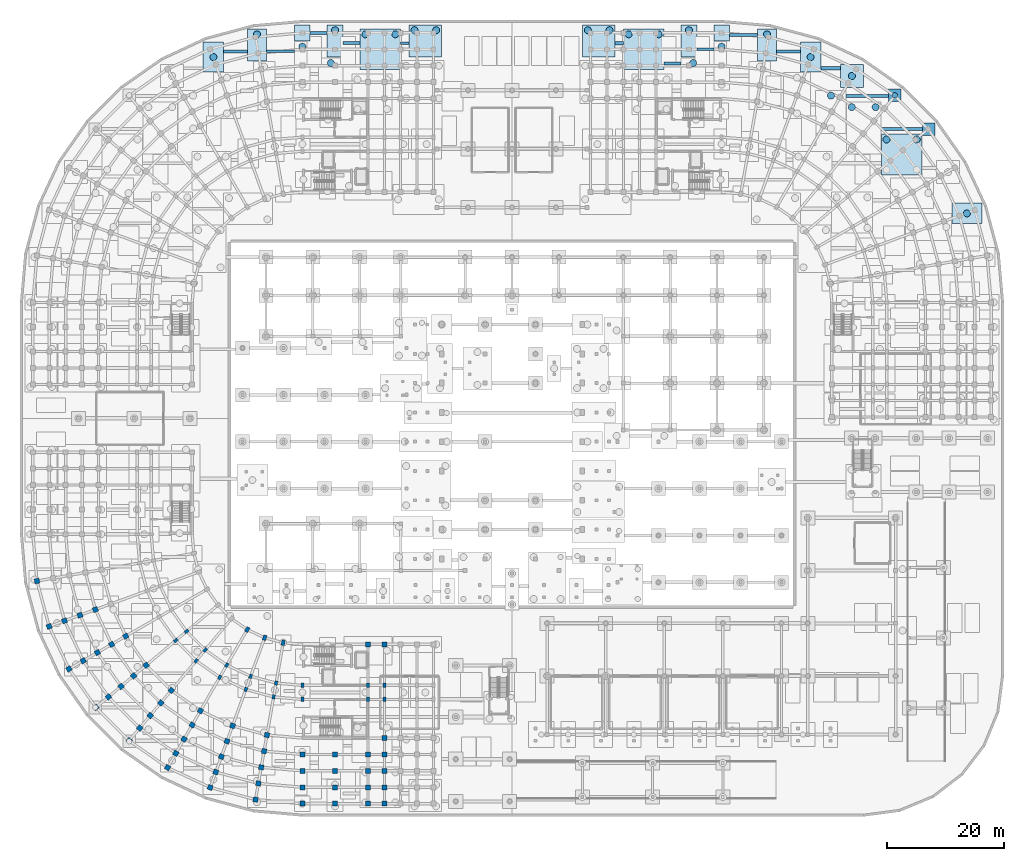
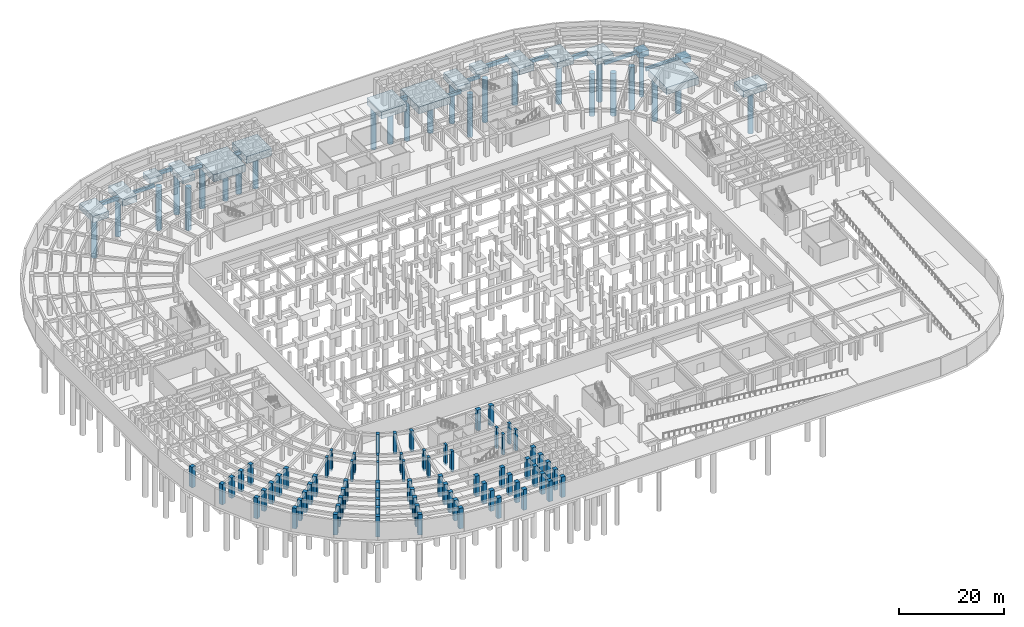
# One storey, part 12 of 53: 73 columns, 30 footings, 26 piles.
"""IFC4 building model written with IfcOpenShell, lengths in metres."""

import ifcopenshell
import ifcopenshell.guid

model = None  # the IFC model being written
_history = None  # IfcOwnerHistory: only IFC2X3 demands one
_inside = {}  # id of a spatial element -> (the spatial element, [elements in it])
_under = {}  # id of a project, library or spatial element -> (it, [spatial elements below it])
_declared = {}  # id of a project -> (the project, [libraries it declares])
_typed = {}  # id of a type object -> (the type object, [elements of that type])
_made_of = {}  # id of a material, layer set ... -> (it, [elements and type objects made of it])


def new_model(schema):
    """Start an empty IFC model of exactly this schema.

    Asked for "IFC4X3", IfcOpenShell would pick the latest addendum, in which some entities
    have other attributes; the version numbers below select the first issue.
    IFC2X3 requires an IfcOwnerHistory on every rooted entity: one is made here for all.
    """
    global model, _history
    if schema == "IFC4X3":
        model = ifcopenshell.file(schema_version=(4, 3, 0, 0))
    else:
        model = ifcopenshell.file(schema=schema)
    _inside.clear()
    _under.clear()
    _declared.clear()
    _typed.clear()
    _made_of.clear()
    _history = None
    if model.schema == "IFC2X3":
        org = make("IfcOrganization", Name="unknown")
        user = make(
            "IfcPersonAndOrganization",
            ThePerson=make("IfcPerson", FamilyName="unknown"),
            TheOrganization=org,
        )
        app = make(
            "IfcApplication",
            ApplicationDeveloper=org,
            Version="unknown",
            ApplicationFullName="unknown",
            ApplicationIdentifier="unknown",
        )
        _history = make(
            "IfcOwnerHistory",
            OwningUser=user,
            OwningApplication=app,
            ChangeAction="ADDED",
            CreationDate=0,
        )
    return model


def make(cls, **values):
    """One entity of the class cls with the attributes given. An attribute that is None is left unset."""
    return model.create_entity(
        cls, **{name: value for name, value in values.items() if value is not None}
    )


def rooted(cls, **values):
    """An entity with a GlobalId (a new one), such as an element, a storey or a relation."""
    return make(cls, GlobalId=ifcopenshell.guid.new(), OwnerHistory=_history, **values)


def si_unit(unit_type, name, prefix=None):
    """IfcSIUnit, for example si_unit("LENGTHUNIT", "METRE", prefix="MILLI")."""
    return make("IfcSIUnit", UnitType=unit_type, Prefix=prefix, Name=name)


def assignment(units):
    """IfcUnitAssignment: the units of a project."""
    return None if units is None else make("IfcUnitAssignment", Units=units)


def point(xyz):
    """IfcCartesianPoint."""
    return None if xyz is None else make("IfcCartesianPoint", Coordinates=xyz)


def direction(xyz):
    """IfcDirection."""
    return None if xyz is None else make("IfcDirection", DirectionRatios=xyz)


def frame(location, z_axis=None, x_axis=None):
    """IfcAxis2Placement3D, a coordinate frame: its origin and axes. An axis left out is left unset."""
    return make(
        "IfcAxis2Placement3D",
        Location=point(location),
        Axis=direction(z_axis),
        RefDirection=direction(x_axis),
    )


def frame_2d(location, x_axis=None):
    """IfcAxis2Placement2D, a coordinate frame in the plane: its origin and x axis."""
    return make(
        "IfcAxis2Placement2D", Location=point(location), RefDirection=direction(x_axis)
    )


def origin():
    """The frame at (0, 0, 0) with its axes left unset."""
    return frame((0.0, 0.0, 0.0))


def origin_2d():
    """The frame at (0, 0) in the plane with its x axis left unset."""
    return frame_2d((0.0, 0.0))


def place(relative_to, where):
    """IfcLocalPlacement: puts the frame where relative to a parent placement (None: the world)."""
    return make(
        "IfcLocalPlacement", PlacementRelTo=relative_to, RelativePlacement=where
    )


def context(
    kind, dimensions, precision=None, world=None, true_north=None, identifier=None
):
    """IfcGeometricRepresentationContext, for example the 3D "Model" context."""
    return make(
        "IfcGeometricRepresentationContext",
        ContextIdentifier=identifier,
        ContextType=kind,
        CoordinateSpaceDimension=dimensions,
        Precision=precision,
        WorldCoordinateSystem=world,
        TrueNorth=true_north,
    )


def subcontext(parent, identifier, kind, view, scale=None):
    """IfcGeometricRepresentationSubContext, for example "Body" below "Model"."""
    return make(
        "IfcGeometricRepresentationSubContext",
        ContextIdentifier=identifier,
        ContextType=kind,
        ParentContext=parent,
        TargetScale=scale,
        TargetView=view,
    )


def project(units=None, contexts=None):
    """IfcProject with its units and contexts."""
    return rooted(
        "IfcProject",
        Name="project",
        RepresentationContexts=contexts,
        UnitsInContext=assignment(units),
    )


def spatial(cls, under=None, at=None, **own):
    """A site, building, storey or space (cls), placed at a placement, below another one or the project."""
    s = rooted(cls, ObjectPlacement=at, **own)
    if under is not None:
        _under.setdefault(under.id(), (under, []))[1].append(s)
    return s


def profile(cls, at=None, kind="AREA", **sizes):
    """A parametric profile (cls). Its sizes go by their IFC names, for example OverallWidth=200.0."""
    return make(cls, ProfileType=kind, Position=at, **sizes)


def rectangle(**sizes):
    """IfcRectangleProfileDef."""
    return profile("IfcRectangleProfileDef", **sizes)


def circle(**sizes):
    """IfcCircleProfileDef."""
    return profile("IfcCircleProfileDef", **sizes)


def extrude(swept, where, along, depth):
    """IfcExtrudedAreaSolid: the profile swept, set in the frame where, extruded along a direction by depth."""
    return make(
        "IfcExtrudedAreaSolid",
        SweptArea=swept,
        Position=where,
        ExtrudedDirection=direction(along),
        Depth=depth,
    )


def shape(context_of_items, identifier, shape_type, items):
    """IfcShapeRepresentation: the items that make up one representation, for example the "Body"."""
    return make(
        "IfcShapeRepresentation",
        ContextOfItems=context_of_items,
        RepresentationIdentifier=identifier,
        RepresentationType=shape_type,
        Items=items,
    )


def material(Name=None, Category=None):
    """IfcMaterial."""
    return make("IfcMaterial", Name=Name, Category=Category)


def material_profile(
    of_material, cross_section, Name=None, Category=None, Priority=None
):
    """IfcMaterialProfile: a cross section and its material."""
    return make(
        "IfcMaterialProfile",
        Name=Name,
        Material=of_material,
        Profile=cross_section,
        Priority=Priority,
        Category=Category,
    )


def profile_set(profiles, Name=None, composite=None):
    """IfcMaterialProfileSet."""
    return make(
        "IfcMaterialProfileSet",
        Name=Name,
        MaterialProfiles=profiles,
        CompositeProfile=composite,
    )


def made_of(thing, what):
    """Note that an element or type object is made of a material, layer set ...; save() writes the relation."""
    if what is not None:
        _made_of.setdefault(what.id(), (what, []))[1].append(thing)
    return thing


def type_object(cls, material=None, **own):
    """A type object (cls), such as IfcWallType, which elements share."""
    return made_of(rooted(cls, **own), material)


def element(
    cls,
    number,
    at=None,
    inside=None,
    cuts=None,
    type_object=None,
    material=None,
    context=None,
    identifier="Body",
    shape_type=None,
    held_by="IfcProductDefinitionShape",
    body=None,
    shapes=None,
    **own,
):
    """One element of the class cls, such as IfcWall. Its Tag is "e" and its number.

    at: its placement. inside: the storey or other place that contains it. cuts: it is an
    opening in that element (IfcRelVoidsElement). A single representation is given by context,
    identifier, shape_type and body (its items); several are given by shapes. held_by: the class
    of the entity that holds the representations. save() writes the other relations.
    """
    e = rooted(cls, Tag="e%d" % number, ObjectPlacement=at, **own)
    if body is not None:
        shapes = [shape(context, identifier, shape_type, body)]
    if shapes is not None:
        e.Representation = make(held_by, Representations=shapes)
    if inside is not None:
        _inside.setdefault(inside.id(), (inside, []))[1].append(e)
    if cuts is not None:
        rooted(
            "IfcRelVoidsElement", RelatingBuildingElement=cuts, RelatedOpeningElement=e
        )
    if type_object is not None:
        _typed.setdefault(type_object.id(), (type_object, []))[1].append(e)
    return made_of(e, material)


def aggregate(whole, parts):
    """IfcRelAggregates: a whole, such as a stair, and the parts it consists of."""
    return rooted("IfcRelAggregates", RelatingObject=whole, RelatedObjects=parts)


def save(model, path):
    """Write the relations noted so far, then the file.

    IfcRelAggregates (storeys below a building ...), IfcRelContainedInSpatialStructure (elements
    in a storey), IfcRelDefinesByType, IfcRelAssociatesMaterial and IfcRelDeclares: one each for
    every whole, place, type object, material and project.
    """
    for whole, parts in _under.values():
        aggregate(whole, parts)
    for where, things in _inside.values():
        rooted(
            "IfcRelContainedInSpatialStructure",
            RelatedElements=things,
            RelatingStructure=where,
        )
    for kind, things in _typed.values():
        rooted("IfcRelDefinesByType", RelatedObjects=things, RelatingType=kind)
    for what, things in _made_of.values():
        rooted("IfcRelAssociatesMaterial", RelatedObjects=things, RelatingMaterial=what)
    for by, libraries in _declared.values():
        rooted("IfcRelDeclares", RelatingContext=by, RelatedDefinitions=libraries)
    model.write(path)


model = new_model("IFC4")

# Units and contexts
model_context = context("Model", 3, precision=1e-05, world=origin(), true_north=direction((0.0, 1.0)))
body_context = subcontext(model_context, "Body", "Model", "MODEL_VIEW")
ifc_project = project(units=[si_unit("LENGTHUNIT", "METRE"), si_unit("AREAUNIT", "SQUARE_METRE"), si_unit("VOLUMEUNIT", "CUBIC_METRE"), si_unit("PLANEANGLEUNIT", "RADIAN"), si_unit("MASSUNIT", "GRAM", prefix="KILO")], contexts=[model_context])

# Site, building, storey
site_placement = place(None, origin())
site = spatial("IfcSite", under=ifc_project, at=site_placement, CompositionType="ELEMENT")
building_placement = place(site_placement, origin())
building = spatial("IfcBuilding", under=site, at=building_placement, Name="Kiranvali Square Residences", CompositionType="ELEMENT")
storey_placement = place(building_placement, frame((0.0, 0.0, -4.5)))
storey = spatial("IfcBuildingStorey", under=building, at=storey_placement, Name="B1", CompositionType="ELEMENT", Elevation=-4.5)

# Footings
ifc_material_1 = material(Name="Concrete M40 (40 MPa)", Category="concrete")
footing_type_1 = type_object("IfcFootingType", Name="FTG-PILE_CAP-217x217x130", PredefinedType="PILE_CAP", material=ifc_material_1)
footing_1_placement = place(storey_placement, frame((155.154541015625, 117.367431640625, -1.7998046875), z_axis=(0.0, 0.0, 1.0), x_axis=(1.0, 0.0, 0.0)))
element("IfcFooting", 1, at=footing_1_placement, inside=storey, type_object=footing_type_1, Name="B1 pile cap 318", PredefinedType="PILE_CAP", context=body_context, shape_type="SweptSolid", body=[
    extrude(rectangle(XDim=2.1669921875, YDim=2.1669921875, at=origin_2d()), origin(), (0.0, 0.0, 1.0), 1.300048828125),
])
footing_2_placement = place(storey_placement, frame((149.367919921875, 123.154052734375, -1.7998046875), z_axis=(0.0, 0.0, 1.0), x_axis=(1.0, 0.0, 0.0)))
element("IfcFooting", 2, at=footing_2_placement, inside=storey, type_object=footing_type_1, Name="B1 pile cap 336", PredefinedType="PILE_CAP", context=body_context, shape_type="SweptSolid", body=[
    extrude(rectangle(XDim=2.16796875, YDim=2.16796875, at=origin_2d()), origin(), (0.0, 0.0, 1.0), 1.300048828125),
])
footing_type_2 = type_object("IfcFootingType", Name="FTG-PILE_CAP-270x270x130", PredefinedType="PILE_CAP", material=ifc_material_1)
for number, where, z_axis, x_axis, name in (
    (3, (48.199951171875, 133.800048828125, -1.7998046875), (0.0, 0.0, 1.0), (1.0, 0.0, 0.0), "B1 pile cap 354"),
    (4, (119.800048828125, 133.800048828125, -1.7998046875), (0.0, 0.0, 1.0), (1.0, 0.0, 0.0), "B1 pile cap 355"),
):
    element("IfcFooting", number, at=place(storey_placement, frame(where, z_axis=z_axis, x_axis=x_axis)), inside=storey, type_object=footing_type_2, Name=name, PredefinedType="PILE_CAP", context=body_context, shape_type="SweptSolid", body=[
        extrude(rectangle(XDim=2.699951171875, YDim=2.699951171875, at=origin_2d()), origin(), (0.0, 0.0, 1.0), 1.300048828125),
    ])
footing_type_3 = type_object("IfcFootingType", Name="FTG-PILE_CAP-395x395x150", PredefinedType="PILE_CAP", material=ifc_material_1)
footing_3_placement = place(storey_placement, frame((142.02490234375, 126.43310546875, -2.0), z_axis=(0.0, 0.0, 1.0), x_axis=(1.0, 0.0, 0.0)))
element("IfcFooting", 5, at=footing_3_placement, inside=storey, type_object=footing_type_3, Name="B1 pile cap 341", PredefinedType="PILE_CAP", context=body_context, shape_type="SweptSolid", body=[
    extrude(rectangle(XDim=3.949951171875, YDim=3.949951171875, at=origin_2d()), origin(), (0.0, 0.0, 1.0), 1.5),
])
footing_type_4 = type_object("IfcFootingType", Name="FTG-PILE_CAP-512x351x150", PredefinedType="PILE_CAP", material=ifc_material_1)
for number, where, z_axis, x_axis, name in (
    (6, (161.66748046875, 102.97900390625, -2.0), (0.0, 0.0, 1.0), (1.0, 0.0, 0.0), "B1 pile cap 278"),
    (7, (33.02099609375, 129.66748046875, -2.0), (0.0, 0.0, 1.0), (0.0, 1.0, 0.0), "B1 pile cap 346"),
    (8, (134.97900390625, 129.66748046875, -2.0), (0.0, 0.0, 1.0), (0.0, 1.0, 0.0), "B1 pile cap 347"),
):
    element("IfcFooting", number, at=place(storey_placement, frame(where, z_axis=z_axis, x_axis=x_axis)), inside=storey, type_object=footing_type_4, Name=name, PredefinedType="PILE_CAP", context=body_context, shape_type="SweptSolid", body=[
        extrude(rectangle(XDim=5.116943359375, YDim=3.508056640625, at=origin_2d()), origin(), (0.0, 0.0, 1.0), 1.5),
    ])
footing_type_5 = type_object("IfcFootingType", Name="FTG-PILE_CAP-546x319x150", PredefinedType="PILE_CAP", material=ifc_material_1)
for number, where, z_axis, x_axis, name in (
    (9, (40.455078125, 131.722412109375, -2.0), (0.0, 0.0, 1.0), (0.0, 1.0, 0.0), "B1 pile cap 348"),
    (10, (127.544921875, 131.722412109375, -2.0), (0.0, 0.0, 1.0), (0.0, 1.0, 0.0), "B1 pile cap 349"),
):
    element("IfcFooting", number, at=place(storey_placement, frame(where, z_axis=z_axis, x_axis=x_axis)), inside=storey, type_object=footing_type_5, Name=name, PredefinedType="PILE_CAP", context=body_context, shape_type="SweptSolid", body=[
        extrude(rectangle(XDim=5.45703125, YDim=3.18603515625, at=origin_2d()), origin(), (0.0, 0.0, 1.0), 1.5),
    ])
footing_type_6 = type_object("IfcFootingType", Name="FTG-PILE_CAP-550x270x150", PredefinedType="PILE_CAP", material=ifc_material_1)
for number, where, z_axis, x_axis, name in (
    (11, (53.800048828125, 132.39990234375, -2.0), (0.0, 0.0, 1.0), (0.0, 1.0, 0.0), "B1 pile cap 350"),
    (12, (114.199951171875, 132.39990234375, -2.0), (0.0, 0.0, 1.0), (0.0, 1.0, 0.0), "B1 pile cap 353"),
):
    element("IfcFooting", number, at=place(storey_placement, frame(where, z_axis=z_axis, x_axis=x_axis)), inside=storey, type_object=footing_type_6, Name=name, PredefinedType="PILE_CAP", context=body_context, shape_type="SweptSolid", body=[
        extrude(rectangle(XDim=5.5, YDim=2.699951171875, at=origin_2d()), origin(), (0.0, 0.0, 1.0), 1.5),
    ])
footing_type_7 = type_object("IfcFootingType", Name="FTG-PILE_CAP-550x550x165", PredefinedType="PILE_CAP", material=ifc_material_1)
for number, where, z_axis, x_axis, name in (
    (13, (69.199951171875, 132.39990234375, -2.14990234375), (0.0, 0.0, 1.0), (1.0, 0.0, 0.0), "B1 pile cap 351"),
    (14, (98.800048828125, 132.39990234375, -2.14990234375), (0.0, 0.0, 1.0), (1.0, 0.0, 0.0), "B1 pile cap 352"),
):
    element("IfcFooting", number, at=place(storey_placement, frame(where, z_axis=z_axis, x_axis=x_axis)), inside=storey, type_object=footing_type_7, Name=name, PredefinedType="PILE_CAP", context=body_context, shape_type="SweptSolid", body=[
        extrude(rectangle(XDim=5.5, YDim=5.5, at=origin_2d()), origin(), (0.0, 0.0, 1.0), 1.64990234375),
    ])
footing_type_8 = type_object("IfcFootingType", Name="FTG-PILE_CAP-692x692x165", PredefinedType="PILE_CAP", material=ifc_material_1)
for number, where, z_axis, x_axis, name in (
    (15, (61.510009765625, 131.0, -2.14990234375), (0.0, 0.0, 1.0), (1.0, 0.0, 0.0), "B1 pile cap 344"),
    (16, (106.489990234375, 131.0, -2.14990234375), (0.0, 0.0, 1.0), (1.0, 0.0, 0.0), "B1 pile cap 345"),
):
    element("IfcFooting", number, at=place(storey_placement, frame(where, z_axis=z_axis, x_axis=x_axis)), inside=storey, type_object=footing_type_8, Name=name, PredefinedType="PILE_CAP", context=body_context, shape_type="SweptSolid", body=[
        extrude(rectangle(XDim=6.919921875, YDim=6.919921875, at=origin_2d()), origin(), (0.0, 0.0, 1.0), 1.64990234375),
    ])
footing_type_9 = type_object("IfcFootingType", Name="FTG-PILE_CAP-697x697x165", PredefinedType="PILE_CAP", material=ifc_material_1)
footing_4_placement = place(storey_placement, frame((150.527099609375, 113.01611328125, -2.14990234375), z_axis=(0.0, 0.0, 1.0), x_axis=(1.0, 0.0, 0.0)))
element("IfcFooting", 17, at=footing_4_placement, inside=storey, type_object=footing_type_9, Name="B1 pile cap 301", PredefinedType="PILE_CAP", context=body_context, shape_type="SweptSolid", body=[
    extrude(rectangle(XDim=6.968017578125, YDim=6.968017578125, at=origin_2d()), origin(), (0.0, 0.0, 1.0), 1.64990234375),
])
ifc_material_profile_1 = material_profile(ifc_material_1, rectangle(XDim=0.449951171875, YDim=0.75, at=origin_2d()), Name="GB 450x750")
ifc_profile_set_1 = profile_set([ifc_material_profile_1], Name="Concrete M40 (40 MPa)")
footing_type_10 = type_object("IfcFootingType", Name="GB-M40-450x750", PredefinedType="FOOTING_BEAM", material=ifc_profile_set_1)
footing_5_placement = place(storey_placement, frame((141.053955078125, 123.01953125, -0.875), z_axis=(1.0, 0.0, 0.0), x_axis=(0.0, 1.0, 0.0)))
element("IfcFooting", 18, at=footing_5_placement, inside=storey, type_object=footing_type_10, Name="Continuous foundation ground beam GB-240", PredefinedType="FOOTING_BEAM", context=body_context, shape_type="SweptSolid", body=[
    extrude(rectangle(XDim=0.449951171875, YDim=0.75, at=origin_2d()), origin(), (0.0, 0.0, 1.0), 7.22998046875),
])
footing_6_placement = place(storey_placement, frame((64.969970703125, 132.054931640625, -0.875), z_axis=(1.0, 0.0, 0.0), x_axis=(0.0, 1.0, 0.0)))
element("IfcFooting", 19, at=footing_6_placement, inside=storey, type_object=footing_type_10, Name="Continuous foundation ground beam GB-260", PredefinedType="FOOTING_BEAM", context=body_context, shape_type="SweptSolid", body=[
    extrude(rectangle(XDim=0.449951171875, YDim=0.75, at=origin_2d()), origin(), (0.0, 0.0, 1.0), 1.47998046875),
])
footing_7_placement = place(storey_placement, frame((42.048095703125, 130.672119140625, -0.875), z_axis=(1.0, 0.0, 0.0), x_axis=(0.0, 1.0, 0.0)))
element("IfcFooting", 20, at=footing_7_placement, inside=storey, type_object=footing_type_10, Name="Continuous foundation ground beam GB-264", PredefinedType="FOOTING_BEAM", context=body_context, shape_type="SweptSolid", body=[
    extrude(rectangle(XDim=0.449951171875, YDim=0.75, at=origin_2d()), origin(), (0.0, 0.0, 1.0), 4.802001953125),
])
footing_8_placement = place(storey_placement, frame((115.550048828125, 131.0, -0.875), z_axis=(1.0, 0.0, 0.0), x_axis=(0.0, 1.0, 0.0)))
element("IfcFooting", 21, at=footing_8_placement, inside=storey, type_object=footing_type_10, Name="Continuous foundation ground beam GB-268", PredefinedType="FOOTING_BEAM", context=body_context, shape_type="SweptSolid", body=[
    extrude(rectangle(XDim=0.449951171875, YDim=0.75, at=origin_2d()), origin(), (0.0, 0.0, 1.0), 2.89990234375),
])
ifc_material_profile_2 = material_profile(ifc_material_1, rectangle(XDim=0.5, YDim=0.800048828125, at=origin_2d()), Name="GB 500x800")
ifc_profile_set_2 = profile_set([ifc_material_profile_2], Name="Concrete M40 (40 MPa)")
footing_type_11 = type_object("IfcFootingType", Name="GB-M40-500x800", PredefinedType="FOOTING_BEAM", material=ifc_profile_set_2)
footing_9_placement = place(storey_placement, frame((146.98291015625, 117.367431640625, -0.89990234375), z_axis=(1.0, 0.0, 0.0), x_axis=(0.0, 1.0, 0.0)))
element("IfcFooting", 22, at=footing_9_placement, inside=storey, type_object=footing_type_11, Name="Continuous foundation ground beam GB-237", PredefinedType="FOOTING_BEAM", context=body_context, shape_type="SweptSolid", body=[
    extrude(rectangle(XDim=0.5, YDim=0.800048828125, at=origin_2d()), origin(), (0.0, 0.0, 1.0), 7.088134765625),
])
footing_10_placement = place(storey_placement, frame((109.949951171875, 128.544921875, -0.89990234375), z_axis=(1.0, 0.0, 0.0), x_axis=(0.0, 1.0, 0.0)))
element("IfcFooting", 23, at=footing_10_placement, inside=storey, type_object=footing_type_11, Name="Continuous foundation ground beam GB-261", PredefinedType="FOOTING_BEAM", context=body_context, shape_type="SweptSolid", body=[
    extrude(rectangle(XDim=0.5, YDim=0.800048828125, at=origin_2d()), origin(), (0.0, 0.0, 1.0), 2.900146484375),
])
footing_11_placement = place(storey_placement, frame((129.137939453125, 130.610107421875, -0.89990234375), z_axis=(1.0, 0.0, 0.0), x_axis=(0.0, 1.0, 0.0)))
element("IfcFooting", 24, at=footing_11_placement, inside=storey, type_object=footing_type_11, Name="Continuous foundation ground beam GB-265", PredefinedType="FOOTING_BEAM", context=body_context, shape_type="SweptSolid", body=[
    extrude(rectangle(XDim=0.5, YDim=0.800048828125, at=origin_2d()), origin(), (0.0, 0.0, 1.0), 4.087158203125),
])
footing_12_placement = place(storey_placement, frame((49.550048828125, 133.800048828125, -0.89990234375), z_axis=(1.0, 0.0, 0.0), x_axis=(0.0, 1.0, 0.0)))
element("IfcFooting", 25, at=footing_12_placement, inside=storey, type_object=footing_type_11, Name="Continuous foundation ground beam GB-269", PredefinedType="FOOTING_BEAM", context=body_context, shape_type="SweptSolid", body=[
    extrude(rectangle(XDim=0.5, YDim=0.800048828125, at=origin_2d()), origin(), (0.0, 0.0, 1.0), 2.89990234375),
])
ifc_material_profile_3 = material_profile(ifc_material_1, rectangle(XDim=0.550048828125, YDim=0.85009765625, at=origin_2d()), Name="GB 550x850")
ifc_profile_set_3 = profile_set([ifc_material_profile_3], Name="Concrete M40 (40 MPa)")
footing_type_12 = type_object("IfcFootingType", Name="GB-M40-550x850", PredefinedType="FOOTING_BEAM", material=ifc_profile_set_3)
footing_13_placement = place(storey_placement, frame((34.77490234375, 130.610107421875, -0.925048828125), z_axis=(1.0, 0.0, 0.0), x_axis=(0.0, 1.0, 0.0)))
element("IfcFooting", 26, at=footing_13_placement, inside=storey, type_object=footing_type_12, Name="Continuous foundation ground beam GB-262", PredefinedType="FOOTING_BEAM", context=body_context, shape_type="SweptSolid", body=[
    extrude(rectangle(XDim=0.550048828125, YDim=0.85009765625, at=origin_2d()), origin(), (0.0, 0.0, 1.0), 4.087158203125),
])
footing_14_placement = place(storey_placement, frame((55.14990234375, 132.054931640625, -0.925048828125), z_axis=(1.0, 0.0, 0.0), x_axis=(0.0, 1.0, 0.0)))
element("IfcFooting", 27, at=footing_14_placement, inside=storey, type_object=footing_type_12, Name="Continuous foundation ground beam GB-266", PredefinedType="FOOTING_BEAM", context=body_context, shape_type="SweptSolid", body=[
    extrude(rectangle(XDim=0.550048828125, YDim=0.85009765625, at=origin_2d()), origin(), (0.0, 0.0, 1.0), 2.900146484375),
])
footing_15_placement = place(storey_placement, frame((121.14990234375, 133.450439453125, -0.925048828125), z_axis=(1.0, 0.0, 0.0), x_axis=(0.0, 1.0, 0.0)))
element("IfcFooting", 28, at=footing_15_placement, inside=storey, type_object=footing_type_12, Name="Continuous foundation ground beam GB-270", PredefinedType="FOOTING_BEAM", context=body_context, shape_type="SweptSolid", body=[
    extrude(rectangle(XDim=0.550048828125, YDim=0.85009765625, at=origin_2d()), origin(), (0.0, 0.0, 1.0), 4.802001953125),
])
ifc_material_profile_4 = material_profile(ifc_material_1, rectangle(XDim=0.60009765625, YDim=0.89990234375, at=origin_2d()), Name="GB 600x900")
ifc_profile_set_4 = profile_set([ifc_material_profile_4], Name="Concrete M40 (40 MPa)")
footing_type_13 = type_object("IfcFootingType", Name="GB-M40-600x900", PredefinedType="FOOTING_BEAM", material=ifc_profile_set_4)
footing_16_placement = place(storey_placement, frame((136.73291015625, 127.758544921875, -0.949951171875), z_axis=(1.0, 0.0, 0.0), x_axis=(0.0, 1.0, 0.0)))
element("IfcFooting", 29, at=footing_16_placement, inside=storey, type_object=footing_type_13, Name="Continuous foundation ground beam GB-263", PredefinedType="FOOTING_BEAM", context=body_context, shape_type="SweptSolid", body=[
    extrude(rectangle(XDim=0.60009765625, YDim=0.89990234375, at=origin_2d()), origin(), (0.0, 0.0, 1.0), 3.317138671875),
])
footing_17_placement = place(storey_placement, frame((101.550048828125, 132.054931640625, -0.949951171875), z_axis=(1.0, 0.0, 0.0), x_axis=(0.0, 1.0, 0.0)))
element("IfcFooting", 30, at=footing_17_placement, inside=storey, type_object=footing_type_13, Name="Continuous foundation ground beam GB-267", PredefinedType="FOOTING_BEAM", context=body_context, shape_type="SweptSolid", body=[
    extrude(rectangle(XDim=0.60009765625, YDim=0.89990234375, at=origin_2d()), origin(), (0.0, 0.0, 1.0), 1.47998046875),
])

# Piles
ifc_material_profile_5 = material_profile(ifc_material_1, circle(Radius=0.60009765625, at=origin_2d()), Name="BORED PILE 1200")
ifc_profile_set_5 = profile_set([ifc_material_profile_5], Name="Concrete M40 (40 MPa)")
pile_type_1 = type_object("IfcPileType", Name="PILE-BORED-1200", PredefinedType="BORED", material=ifc_profile_set_5)
pile_1_placement = place(storey_placement, frame((161.66748046875, 102.97900390625, -1.89990234375), z_axis=(0.0, 0.0, -1.0), x_axis=(1.0, 0.0, 0.0)))
element("IfcPile", 31, at=pile_1_placement, inside=storey, type_object=pile_type_1, Name="Bored basalt-socketed pile P-0380", PredefinedType="BORED", context=body_context, shape_type="SweptSolid", body=[
    extrude(circle(Radius=0.60009765625, at=origin_2d()), origin(), (0.0, 0.0, 1.0), 10.10009765625),
])
for number, where, z_axis, x_axis, name in (
    (32, (147.943115234375, 115.60009765625, -2.050048828125), (0.0, 0.0, -1.0), (1.0, 0.0, 0.0), "Bored basalt-socketed pile P-0411"),
    (33, (153.111083984375, 115.60009765625, -2.050048828125), (0.0, 0.0, -1.0), (1.0, 0.0, 0.0), "Bored basalt-socketed pile P-0413"),
    (34, (142.013916015625, 121.110107421875, -2.050048828125), (0.0, 0.0, -1.0), (1.0, 0.0, 0.0), "Bored basalt-socketed pile P-0433"),
    (35, (146.0830078125, 121.110107421875, -2.050048828125), (0.0, 0.0, -1.0), (1.0, 0.0, 0.0), "Bored basalt-socketed pile P-0434"),
    (36, (138.451904296875, 123.069091796875, -2.050048828125), (0.0, 0.0, -1.0), (1.0, 0.0, 0.0), "Bored basalt-socketed pile P-0438"),
    (37, (53.075927734375, 128.64990234375, -2.050048828125), (0.0, 0.0, -1.0), (1.0, 0.0, 0.0), "Bored basalt-socketed pile P-0459"),
    (38, (114.924072265625, 128.64990234375, -2.050048828125), (0.0, 0.0, -1.0), (1.0, 0.0, 0.0), "Bored basalt-socketed pile P-0460"),
):
    element("IfcPile", number, at=place(storey_placement, frame(where, z_axis=z_axis, x_axis=x_axis)), inside=storey, type_object=pile_type_1, Name=name, PredefinedType="BORED", context=body_context, shape_type="SweptSolid", body=[
        extrude(circle(Radius=0.60009765625, at=origin_2d()), origin(), (0.0, 0.0, 1.0), 9.949951171875),
    ])
for number, where, z_axis, x_axis, name in (
    (39, (142.02490234375, 126.43310546875, -1.89990234375), (0.0, 0.0, -1.0), (1.0, 0.0, 0.0), "Bored basalt-socketed pile P-0475"),
    (40, (48.199951171875, 131.449951171875, -1.89990234375), (0.0, 0.0, -1.0), (1.0, 0.0, 0.0), "Bored basalt-socketed pile P-0477"),
    (41, (119.800048828125, 131.449951171875, -1.89990234375), (0.0, 0.0, -1.0), (1.0, 0.0, 0.0), "Bored basalt-socketed pile P-0479"),
):
    element("IfcPile", number, at=place(storey_placement, frame(where, z_axis=z_axis, x_axis=x_axis)), inside=storey, type_object=pile_type_1, Name=name, PredefinedType="BORED", context=body_context, shape_type="SweptSolid", body=[
        extrude(circle(Radius=0.60009765625, at=origin_2d()), origin(), (0.0, 0.0, 1.0), 10.10009765625),
    ])
for number, where, z_axis, x_axis, name in (
    (42, (58.949951171875, 133.56005859375, -2.050048828125), (0.0, 0.0, -1.0), (1.0, 0.0, 0.0), "Bored basalt-socketed pile P-0480"),
    (43, (64.070068359375, 133.56005859375, -2.050048828125), (0.0, 0.0, -1.0), (1.0, 0.0, 0.0), "Bored basalt-socketed pile P-0481"),
    (44, (103.929931640625, 133.56005859375, -2.050048828125), (0.0, 0.0, -1.0), (1.0, 0.0, 0.0), "Bored basalt-socketed pile P-0482"),
    (45, (109.050048828125, 133.56005859375, -2.050048828125), (0.0, 0.0, -1.0), (1.0, 0.0, 0.0), "Bored basalt-socketed pile P-0483"),
):
    element("IfcPile", number, at=place(storey_placement, frame(where, z_axis=z_axis, x_axis=x_axis)), inside=storey, type_object=pile_type_1, Name=name, PredefinedType="BORED", context=body_context, shape_type="SweptSolid", body=[
        extrude(circle(Radius=0.60009765625, at=origin_2d()), origin(), (0.0, 0.0, 1.0), 9.949951171875),
    ])
for number, where, z_axis, x_axis, name in (
    (46, (33.02099609375, 129.66748046875, -1.89990234375), (0.0, 0.0, -1.0), (1.0, 0.0, 0.0), "Bored basalt-socketed pile P-0484"),
    (47, (134.97900390625, 129.66748046875, -1.89990234375), (0.0, 0.0, -1.0), (1.0, 0.0, 0.0), "Bored basalt-socketed pile P-0485"),
    (48, (40.455078125, 133.551025390625, -1.89990234375), (0.0, 0.0, -1.0), (1.0, 0.0, 0.0), "Bored basalt-socketed pile P-0486"),
    (49, (127.544921875, 133.551025390625, -1.89990234375), (0.0, 0.0, -1.0), (1.0, 0.0, 0.0), "Bored basalt-socketed pile P-0487"),
    (50, (53.800048828125, 134.25, -1.89990234375), (0.0, 0.0, -1.0), (1.0, 0.0, 0.0), "Bored basalt-socketed pile P-0488"),
):
    element("IfcPile", number, at=place(storey_placement, frame(where, z_axis=z_axis, x_axis=x_axis)), inside=storey, type_object=pile_type_1, Name=name, PredefinedType="BORED", context=body_context, shape_type="SweptSolid", body=[
        extrude(circle(Radius=0.60009765625, at=origin_2d()), origin(), (0.0, 0.0, 1.0), 10.10009765625),
    ])
for number, where, z_axis, x_axis, name in (
    (51, (67.35009765625, 134.25, -2.050048828125), (0.0, 0.0, -1.0), (1.0, 0.0, 0.0), "Bored basalt-socketed pile P-0489"),
    (52, (71.050048828125, 134.25, -2.050048828125), (0.0, 0.0, -1.0), (1.0, 0.0, 0.0), "Bored basalt-socketed pile P-0490"),
    (53, (96.949951171875, 134.25, -2.050048828125), (0.0, 0.0, -1.0), (1.0, 0.0, 0.0), "Bored basalt-socketed pile P-0491"),
    (54, (100.64990234375, 134.25, -2.050048828125), (0.0, 0.0, -1.0), (1.0, 0.0, 0.0), "Bored basalt-socketed pile P-0492"),
):
    element("IfcPile", number, at=place(storey_placement, frame(where, z_axis=z_axis, x_axis=x_axis)), inside=storey, type_object=pile_type_1, Name=name, PredefinedType="BORED", context=body_context, shape_type="SweptSolid", body=[
        extrude(circle(Radius=0.60009765625, at=origin_2d()), origin(), (0.0, 0.0, 1.0), 9.949951171875),
    ])
pile_2_placement = place(storey_placement, frame((114.199951171875, 134.25, -1.89990234375), z_axis=(0.0, 0.0, -1.0), x_axis=(1.0, 0.0, 0.0)))
element("IfcPile", 55, at=pile_2_placement, inside=storey, type_object=pile_type_1, Name="Bored basalt-socketed pile P-0493", PredefinedType="BORED", context=body_context, shape_type="SweptSolid", body=[
    extrude(circle(Radius=0.60009765625, at=origin_2d()), origin(), (0.0, 0.0, 1.0), 10.10009765625),
])
ifc_material_profile_6 = material_profile(ifc_material_1, circle(Radius=0.449951171875, at=origin_2d()), Name="BORED PILE 900")
ifc_profile_set_6 = profile_set([ifc_material_profile_6], Name="Concrete M40 (40 MPa)")
pile_type_2 = type_object("IfcPileType", Name="PILE-BORED-900", PredefinedType="BORED", material=ifc_profile_set_6)
pile_3_placement = place(storey_placement, frame((149.367919921875, 123.154052734375, -1.699951171875), z_axis=(0.0, 0.0, -1.0), x_axis=(1.0, 0.0, 0.0)))
element("IfcPile", 56, at=pile_3_placement, inside=storey, type_object=pile_type_2, Name="Bored basalt-socketed pile P-0470", PredefinedType="BORED", context=body_context, shape_type="SweptSolid", body=[
    extrude(circle(Radius=0.449951171875, at=origin_2d()), origin(), (0.0, 0.0, 1.0), 9.800048828125),
])

# Columns
ifc_material_2 = material(Name="Concrete M45 (45 MPa)", Category="concrete")
ifc_material_profile_7 = material_profile(ifc_material_2, rectangle(XDim=0.5, YDim=0.75, at=origin_2d()), Name="RC 750x500")
ifc_profile_set_7 = profile_set([ifc_material_profile_7], Name="Concrete M45 (45 MPa)")
column_type_1 = type_object("IfcColumnType", Name="COL-M45-750x500", PredefinedType="COLUMN", material=ifc_profile_set_7)
for number, where, z_axis, x_axis, name in (
    (57, (48.199951171875, 22.39990234375, -0.5), (0.0, 0.0, 1.0), (1.0, 0.0, 0.0), "Block C B1 radial column A00-R1"),
    (58, (48.199951171875, 20.0, -0.5), (0.0, 0.0, 1.0), (1.0, 0.0, 0.0), "Block C B1 radial column A00-R2"),
    (59, (43.719970703125, 22.7919921875, -0.5), (0.0, 0.0, 1.0), (-0.984807753012, 0.173648177667, 0.0), "Block C B1 radial column A01-R1"),
    (60, (43.30322265625, 20.428466796875, -0.5), (0.0, 0.0, 1.0), (-0.984807753012, 0.173648177667, 0.0), "Block C B1 radial column A01-R2"),
    (61, (39.3759765625, 23.955810546875, -0.5), (0.0, 0.0, 1.0), (-0.939692620786, 0.342020143326, 0.0), "Block C B1 radial column A02-R1"),
    (62, (38.554931640625, 21.70068359375, -0.5), (0.0, 0.0, 1.0), (-0.939692620786, 0.342020143326, 0.0), "Block C B1 radial column A02-R2"),
    (63, (35.300048828125, 25.8564453125, -0.5), (0.0, 0.0, 1.0), (-0.866025403784, 0.5, 0.0), "Block C B1 radial column A03-R1"),
    (64, (34.10009765625, 23.778076171875, -0.5), (0.0, 0.0, 1.0), (-0.866025403784, 0.5, 0.0), "Block C B1 radial column A03-R2"),
    (65, (31.615966796875, 28.43603515625, -0.5), (0.0, 0.0, 1.0), (-0.766044443119, 0.642787609687, 0.0), "Block C B1 radial column A04-R1"),
    (66, (30.073486328125, 26.59765625, -0.5), (0.0, 0.0, 1.0), (-0.766044443119, 0.642787609687, 0.0), "Block C B1 radial column A04-R2"),
    (67, (28.43603515625, 31.615966796875, -0.5), (0.0, 0.0, 1.0), (-0.642787609687, 0.766044443119, 0.0), "Block C B1 radial column A05-R1"),
    (68, (26.59765625, 30.073486328125, -0.5), (0.0, 0.0, 1.0), (-0.642787609687, 0.766044443119, 0.0), "Block C B1 radial column A05-R2"),
    (69, (59.39990234375, 22.39990234375, -0.5), (0.0, 0.0, 1.0), (1.0, 0.0, 0.0), "Block C B1 Arm 1 column U1-R1"),
    (70, (59.39990234375, 20.0, -0.5), (0.0, 0.0, 1.0), (1.0, 0.0, 0.0), "Block C B1 Arm 1 column U1-R2"),
    (71, (62.199951171875, 22.39990234375, -0.5), (0.0, 0.0, 1.0), (1.0, 0.0, 0.0), "Block C B1 Arm 1 column U2-R1"),
    (72, (62.199951171875, 20.0, -0.5), (0.0, 0.0, 1.0), (1.0, 0.0, 0.0), "Block C B1 Arm 1 column U2-R2"),
):
    element("IfcColumn", number, at=place(storey_placement, frame(where, z_axis=z_axis, x_axis=x_axis)), inside=storey, type_object=column_type_1, Name=name, PredefinedType="COLUMN", context=body_context, shape_type="SweptSolid", body=[
        extrude(rectangle(XDim=0.5, YDim=0.75, at=origin_2d()), origin(), (0.0, 0.0, 1.0), 4.780029296875),
    ])
ifc_material_3 = material(Name="Concrete M50 (50 MPa)", Category="concrete")
ifc_material_profile_8 = material_profile(ifc_material_3, rectangle(XDim=0.85009765625, YDim=0.85009765625, at=origin_2d()), Name="RC 850x850")
ifc_profile_set_8 = profile_set([ifc_material_profile_8], Name="Concrete M50 (50 MPa)")
column_type_2 = type_object("IfcColumnType", Name="COL-M50-850", PredefinedType="COLUMN", material=ifc_profile_set_8)
for number, where, z_axis, x_axis, name in (
    (73, (48.199951171875, 10.60009765625, -0.5), (0.0, 0.0, 1.0), (1.0, 0.0, 0.0), "Block C B1 radial column A00-R4"),
    (74, (48.199951171875, 7.800048828125, -0.5), (0.0, 0.0, 1.0), (1.0, 0.0, 0.0), "Block C B1 radial column A00-R5"),
    (75, (48.199951171875, 5.0, -0.5), (0.0, 0.0, 1.0), (1.0, 0.0, 0.0), "Block C B1 radial column A00-R6"),
    (76, (48.199951171875, 2.199951171875, -0.5), (0.0, 0.0, 1.0), (1.0, 0.0, 0.0), "Block C B1 radial column A00-R7"),
    (77, (42.156982421875, 13.9287109375, -0.5), (0.0, 0.0, 1.0), (-0.984807753012, 0.173648177667, 0.0), "Block C B1 radial column A01-R3"),
    (78, (41.6708984375, 11.171142578125, -0.5), (0.0, 0.0, 1.0), (-0.984807753012, 0.173648177667, 0.0), "Block C B1 radial column A01-R4"),
    (79, (41.1845703125, 8.413818359375, -0.5), (0.0, 0.0, 1.0), (-0.984807753012, 0.173648177667, 0.0), "Block C B1 radial column A01-R5"),
    (80, (40.698486328125, 5.65625, -0.5), (0.0, 0.0, 1.0), (-0.984807753012, 0.173648177667, 0.0), "Block C B1 radial column A01-R6"),
    (81, (40.212158203125, 2.89892578125, -0.5), (0.0, 0.0, 1.0), (-0.984807753012, 0.173648177667, 0.0), "Block C B1 radial column A01-R7"),
    (82, (36.297607421875, 15.498779296875, -0.5), (0.0, 0.0, 1.0), (-0.939692620786, 0.342020143326, 0.0), "Block C B1 radial column A02-R3"),
    (83, (35.340087890625, 12.86767578125, -0.5), (0.0, 0.0, 1.0), (-0.939692620786, 0.342020143326, 0.0), "Block C B1 radial column A02-R4"),
    (84, (34.38232421875, 10.236328125, -0.5), (0.0, 0.0, 1.0), (-0.939692620786, 0.342020143326, 0.0), "Block C B1 radial column A02-R5"),
    (85, (33.4248046875, 7.605224609375, -0.5), (0.0, 0.0, 1.0), (-0.939692620786, 0.342020143326, 0.0), "Block C B1 radial column A02-R6"),
    (86, (32.467041015625, 4.97412109375, -0.5), (0.0, 0.0, 1.0), (-0.939692620786, 0.342020143326, 0.0), "Block C B1 radial column A02-R7"),
    (87, (30.800048828125, 18.062255859375, -0.5), (0.0, 0.0, 1.0), (-0.866025403784, 0.5, 0.0), "Block C B1 radial column A03-R3"),
    (88, (29.39990234375, 15.637451171875, -0.5), (0.0, 0.0, 1.0), (-0.866025403784, 0.5, 0.0), "Block C B1 radial column A03-R4"),
    (89, (28.0, 13.212646484375, -0.5), (0.0, 0.0, 1.0), (-0.866025403784, 0.5, 0.0), "Block C B1 radial column A03-R5"),
    (90, (26.60009765625, 10.78759765625, -0.5), (0.0, 0.0, 1.0), (-0.866025403784, 0.5, 0.0), "Block C B1 radial column A03-R6"),
    (91, (25.199951171875, 8.36279296875, -0.5), (0.0, 0.0, 1.0), (-0.866025403784, 0.5, 0.0), "Block C B1 radial column A03-R7"),
    (92, (25.8310546875, 21.541748046875, -0.5), (0.0, 0.0, 1.0), (-0.766044443119, 0.642787609687, 0.0), "Block C B1 radial column A04-R3"),
    (93, (24.03125, 19.396728515625, -0.5), (0.0, 0.0, 1.0), (-0.766044443119, 0.642787609687, 0.0), "Block C B1 radial column A04-R4"),
    (94, (22.2314453125, 17.251708984375, -0.5), (0.0, 0.0, 1.0), (-0.766044443119, 0.642787609687, 0.0), "Block C B1 radial column A04-R5"),
    (95, (20.431640625, 15.10693359375, -0.5), (0.0, 0.0, 1.0), (-0.766044443119, 0.642787609687, 0.0), "Block C B1 radial column A04-R6"),
    (96, (18.6318359375, 12.9619140625, -0.5), (0.0, 0.0, 1.0), (-0.766044443119, 0.642787609687, 0.0), "Block C B1 radial column A04-R7"),
    (97, (21.541748046875, 25.8310546875, -0.5), (0.0, 0.0, 1.0), (-0.642787609687, 0.766044443119, 0.0), "Block C B1 radial column A05-R3"),
    (98, (19.396728515625, 24.03125, -0.5), (0.0, 0.0, 1.0), (-0.642787609687, 0.766044443119, 0.0), "Block C B1 radial column A05-R4"),
    (99, (17.251708984375, 22.2314453125, -0.5), (0.0, 0.0, 1.0), (-0.642787609687, 0.766044443119, 0.0), "Block C B1 radial column A05-R5"),
    (100, (15.10693359375, 20.431640625, -0.5), (0.0, 0.0, 1.0), (-0.642787609687, 0.766044443119, 0.0), "Block C B1 radial column A05-R6"),
    (101, (12.9619140625, 18.6318359375, -0.5), (0.0, 0.0, 1.0), (-0.642787609687, 0.766044443119, 0.0), "Block C B1 radial column A05-R7"),
    (102, (18.062255859375, 30.800048828125, -0.5), (0.0, 0.0, 1.0), (-0.5, 0.866025403784, 0.0), "Block C B1 radial column A06-R3"),
    (103, (15.637451171875, 29.39990234375, -0.5), (0.0, 0.0, 1.0), (-0.5, 0.866025403784, 0.0), "Block C B1 radial column A06-R4"),
    (104, (13.212646484375, 28.0, -0.5), (0.0, 0.0, 1.0), (-0.5, 0.866025403784, 0.0), "Block C B1 radial column A06-R5"),
    (105, (10.78759765625, 26.60009765625, -0.5), (0.0, 0.0, 1.0), (-0.5, 0.866025403784, 0.0), "Block C B1 radial column A06-R6"),
    (106, (8.36279296875, 25.199951171875, -0.5), (0.0, 0.0, 1.0), (-0.5, 0.866025403784, 0.0), "Block C B1 radial column A06-R7"),
    (107, (12.86767578125, 35.340087890625, -0.5), (0.0, 0.0, 1.0), (-0.342020143326, 0.939692620786, 0.0), "Block C B1 radial column A07-R4"),
    (108, (10.236328125, 34.38232421875, -0.5), (0.0, 0.0, 1.0), (-0.342020143326, 0.939692620786, 0.0), "Block C B1 radial column A07-R5"),
    (109, (7.605224609375, 33.4248046875, -0.5), (0.0, 0.0, 1.0), (-0.342020143326, 0.939692620786, 0.0), "Block C B1 radial column A07-R6"),
    (110, (4.97412109375, 32.467041015625, -0.5), (0.0, 0.0, 1.0), (-0.342020143326, 0.939692620786, 0.0), "Block C B1 radial column A07-R7"),
    (111, (2.89892578125, 40.212158203125, -0.5), (0.0, 0.0, 1.0), (-0.173648177667, 0.984807753012, 0.0), "Block C B1 radial column A08-R7"),
    (112, (53.800048828125, 10.60009765625, -0.5), (0.0, 0.0, 1.0), (1.0, 0.0, 0.0), "Block C B1 core-front column U0-R4"),
    (113, (53.800048828125, 7.800048828125, -0.5), (0.0, 0.0, 1.0), (1.0, 0.0, 0.0), "Block C B1 core-front column U0-R5"),
    (114, (53.800048828125, 5.0, -0.5), (0.0, 0.0, 1.0), (1.0, 0.0, 0.0), "Block C B1 core-front column U0-R6"),
    (115, (53.800048828125, 2.199951171875, -0.5), (0.0, 0.0, 1.0), (1.0, 0.0, 0.0), "Block C B1 core-front column U0-R7"),
    (116, (59.39990234375, 29.39990234375, -0.5), (0.0, 0.0, 1.0), (1.0, 0.0, 0.0), "Block C B1 Arm 1 column U1-R0"),
    (117, (59.39990234375, 10.60009765625, -0.5), (0.0, 0.0, 1.0), (1.0, 0.0, 0.0), "Block C B1 Arm 1 column U1-R4"),
    (118, (59.39990234375, 7.800048828125, -0.5), (0.0, 0.0, 1.0), (1.0, 0.0, 0.0), "Block C B1 Arm 1 column U1-R5"),
    (119, (59.39990234375, 5.0, -0.5), (0.0, 0.0, 1.0), (1.0, 0.0, 0.0), "Block C B1 Arm 1 column U1-R6"),
    (120, (59.39990234375, 2.199951171875, -0.5), (0.0, 0.0, 1.0), (1.0, 0.0, 0.0), "Block C B1 Arm 1 column U1-R7"),
    (121, (62.199951171875, 29.39990234375, -0.5), (0.0, 0.0, 1.0), (1.0, 0.0, 0.0), "Block C B1 Arm 1 column U2-R0"),
    (122, (62.199951171875, 13.39990234375, -0.5), (0.0, 0.0, 1.0), (1.0, 0.0, 0.0), "Block C B1 Arm 1 column U2-R3"),
    (123, (62.199951171875, 10.60009765625, -0.5), (0.0, 0.0, 1.0), (1.0, 0.0, 0.0), "Block C B1 Arm 1 column U2-R4"),
    (124, (62.199951171875, 7.800048828125, -0.5), (0.0, 0.0, 1.0), (1.0, 0.0, 0.0), "Block C B1 Arm 1 column U2-R5"),
    (125, (62.199951171875, 5.0, -0.5), (0.0, 0.0, 1.0), (1.0, 0.0, 0.0), "Block C B1 Arm 1 column U2-R6"),
    (126, (62.199951171875, 2.199951171875, -0.5), (0.0, 0.0, 1.0), (1.0, 0.0, 0.0), "Block C B1 Arm 1 column U2-R7"),
):
    element("IfcColumn", number, at=place(storey_placement, frame(where, z_axis=z_axis, x_axis=x_axis)), inside=storey, type_object=column_type_2, Name=name, PredefinedType="COLUMN", context=body_context, shape_type="SweptSolid", body=[
        extrude(rectangle(XDim=0.85009765625, YDim=0.85009765625, at=origin_2d()), origin(), (0.0, 0.0, 1.0), 4.780029296875),
    ])
ifc_material_profile_9 = material_profile(ifc_material_3, rectangle(XDim=0.60009765625, YDim=0.89990234375, at=origin_2d()), Name="RC 900x600")
ifc_profile_set_9 = profile_set([ifc_material_profile_9], Name="Concrete M50 (50 MPa)")
column_type_3 = type_object("IfcColumnType", Name="COL-M50-900x600", PredefinedType="COLUMN", material=ifc_profile_set_9)
for number, where, z_axis, x_axis, name in (
    (127, (44.935302734375, 29.685546875, -0.5), (0.0, 0.0, 1.0), (-0.984807753012, 0.173648177667, 0.0), "Block C B1 radial column A01-R0"),
    (128, (41.77001953125, 30.53369140625, -0.5), (0.0, 0.0, 1.0), (-0.939692620786, 0.342020143326, 0.0), "Block C B1 radial column A02-R0"),
    (129, (38.800048828125, 31.918701171875, -0.5), (0.0, 0.0, 1.0), (-0.866025403784, 0.5, 0.0), "Block C B1 radial column A03-R0"),
):
    element("IfcColumn", number, at=place(storey_placement, frame(where, z_axis=z_axis, x_axis=x_axis)), inside=storey, type_object=column_type_3, Name=name, PredefinedType="COLUMN", context=body_context, shape_type="SweptSolid", body=[
        extrude(rectangle(XDim=0.60009765625, YDim=0.89990234375, at=origin_2d()), origin(), (0.0, 0.0, 1.0), 4.780029296875),
    ])

save(model, "model.ifc")
